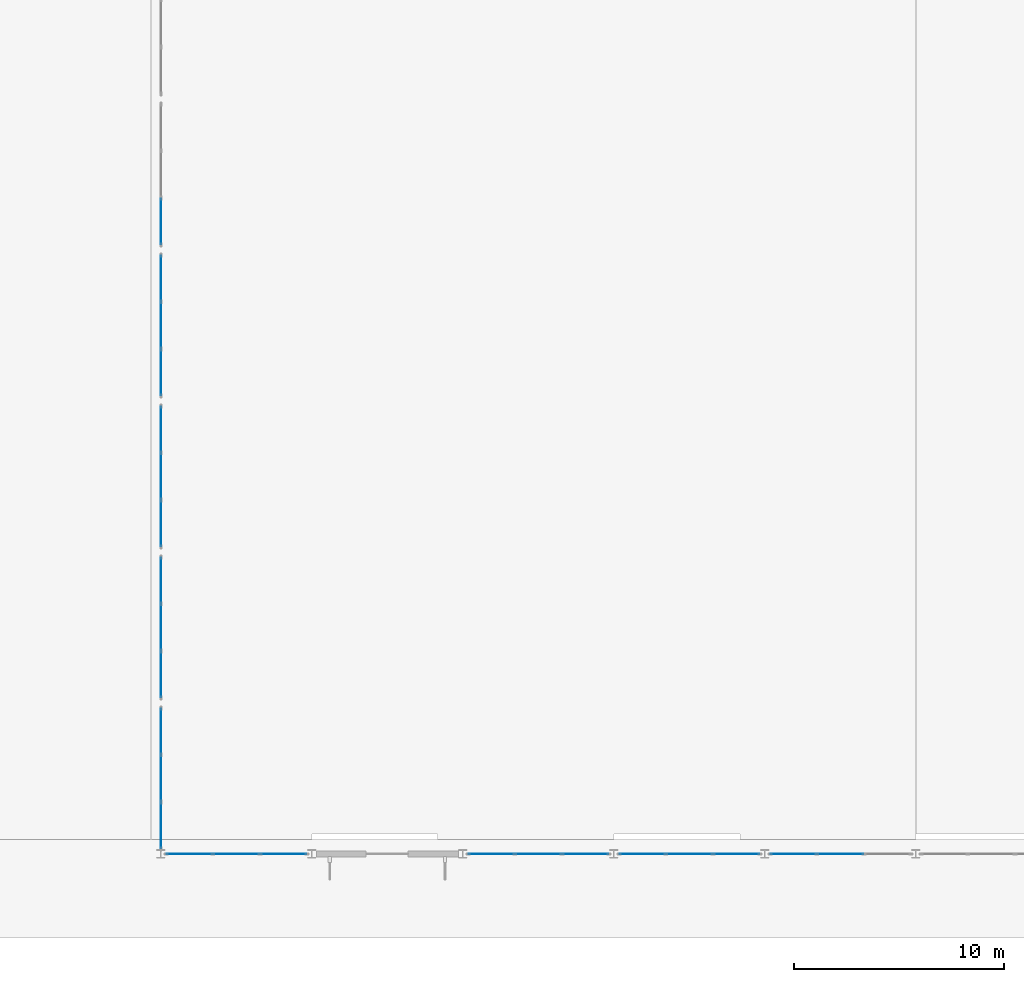
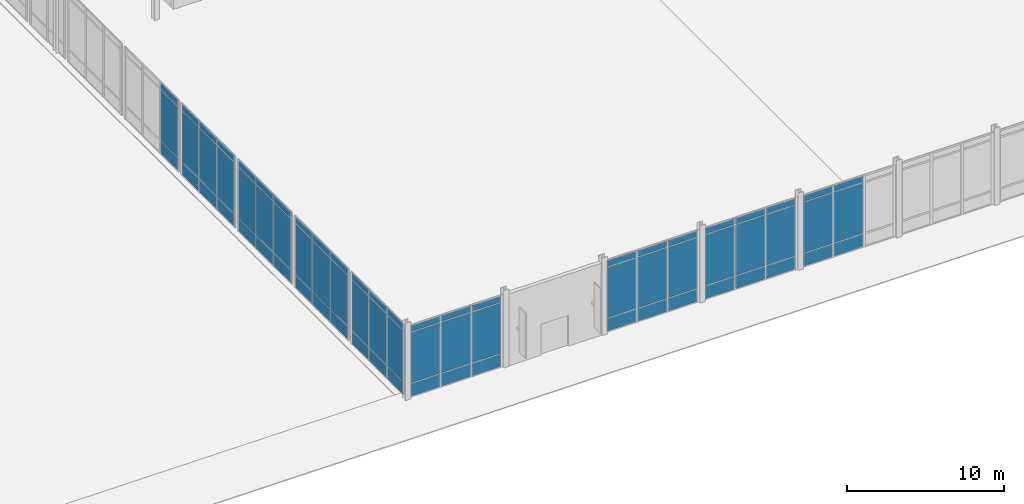
# One storey, part 57 of 104: 72 plates, 9 elements without a shape of their own.
"""IFC4 building model written with IfcOpenShell, lengths in metres."""

import ifcopenshell
import ifcopenshell.guid

model = None  # the IFC model being written
_history = None  # IfcOwnerHistory: only IFC2X3 demands one
_inside = {}  # id of a spatial element -> (the spatial element, [elements in it])
_under = {}  # id of a project, library or spatial element -> (it, [spatial elements below it])
_declared = {}  # id of a project -> (the project, [libraries it declares])
_typed = {}  # id of a type object -> (the type object, [elements of that type])
_made_of = {}  # id of a material, layer set ... -> (it, [elements and type objects made of it])


def new_model(schema):
    """Start an empty IFC model of exactly this schema.

    Asked for "IFC4X3", IfcOpenShell would pick the latest addendum, in which some entities
    have other attributes; the version numbers below select the first issue.
    IFC2X3 requires an IfcOwnerHistory on every rooted entity: one is made here for all.
    """
    global model, _history
    if schema == "IFC4X3":
        model = ifcopenshell.file(schema_version=(4, 3, 0, 0))
    else:
        model = ifcopenshell.file(schema=schema)
    _inside.clear()
    _under.clear()
    _declared.clear()
    _typed.clear()
    _made_of.clear()
    _history = None
    if model.schema == "IFC2X3":
        org = make("IfcOrganization", Name="unknown")
        user = make(
            "IfcPersonAndOrganization",
            ThePerson=make("IfcPerson", FamilyName="unknown"),
            TheOrganization=org,
        )
        app = make(
            "IfcApplication",
            ApplicationDeveloper=org,
            Version="unknown",
            ApplicationFullName="unknown",
            ApplicationIdentifier="unknown",
        )
        _history = make(
            "IfcOwnerHistory",
            OwningUser=user,
            OwningApplication=app,
            ChangeAction="ADDED",
            CreationDate=0,
        )
    return model


def make(cls, **values):
    """One entity of the class cls with the attributes given. An attribute that is None is left unset."""
    return model.create_entity(
        cls, **{name: value for name, value in values.items() if value is not None}
    )


def rooted(cls, **values):
    """An entity with a GlobalId (a new one), such as an element, a storey or a relation."""
    return make(cls, GlobalId=ifcopenshell.guid.new(), OwnerHistory=_history, **values)


def si_unit(unit_type, name, prefix=None):
    """IfcSIUnit, for example si_unit("LENGTHUNIT", "METRE", prefix="MILLI")."""
    return make("IfcSIUnit", UnitType=unit_type, Prefix=prefix, Name=name)


def assignment(units):
    """IfcUnitAssignment: the units of a project."""
    return None if units is None else make("IfcUnitAssignment", Units=units)


def point(xyz):
    """IfcCartesianPoint."""
    return None if xyz is None else make("IfcCartesianPoint", Coordinates=xyz)


def direction(xyz):
    """IfcDirection."""
    return None if xyz is None else make("IfcDirection", DirectionRatios=xyz)


def frame(location, z_axis=None, x_axis=None):
    """IfcAxis2Placement3D, a coordinate frame: its origin and axes. An axis left out is left unset."""
    return make(
        "IfcAxis2Placement3D",
        Location=point(location),
        Axis=direction(z_axis),
        RefDirection=direction(x_axis),
    )


def frame_2d(location, x_axis=None):
    """IfcAxis2Placement2D, a coordinate frame in the plane: its origin and x axis."""
    return make(
        "IfcAxis2Placement2D", Location=point(location), RefDirection=direction(x_axis)
    )


def origin():
    """The frame at (0, 0, 0) with its axes left unset."""
    return frame((0.0, 0.0, 0.0))


def origin_2d():
    """The frame at (0, 0) in the plane with its x axis left unset."""
    return frame_2d((0.0, 0.0))


def place(relative_to, where):
    """IfcLocalPlacement: puts the frame where relative to a parent placement (None: the world)."""
    return make(
        "IfcLocalPlacement", PlacementRelTo=relative_to, RelativePlacement=where
    )


def context(
    kind, dimensions, precision=None, world=None, true_north=None, identifier=None
):
    """IfcGeometricRepresentationContext, for example the 3D "Model" context."""
    return make(
        "IfcGeometricRepresentationContext",
        ContextIdentifier=identifier,
        ContextType=kind,
        CoordinateSpaceDimension=dimensions,
        Precision=precision,
        WorldCoordinateSystem=world,
        TrueNorth=true_north,
    )


def subcontext(parent, identifier, kind, view, scale=None):
    """IfcGeometricRepresentationSubContext, for example "Body" below "Model"."""
    return make(
        "IfcGeometricRepresentationSubContext",
        ContextIdentifier=identifier,
        ContextType=kind,
        ParentContext=parent,
        TargetScale=scale,
        TargetView=view,
    )


def project(units=None, contexts=None):
    """IfcProject with its units and contexts."""
    return rooted(
        "IfcProject",
        Name="project",
        RepresentationContexts=contexts,
        UnitsInContext=assignment(units),
    )


def spatial(cls, under=None, at=None, **own):
    """A site, building, storey or space (cls), placed at a placement, below another one or the project."""
    s = rooted(cls, ObjectPlacement=at, **own)
    if under is not None:
        _under.setdefault(under.id(), (under, []))[1].append(s)
    return s


def profile(cls, at=None, kind="AREA", **sizes):
    """A parametric profile (cls). Its sizes go by their IFC names, for example OverallWidth=200.0."""
    return make(cls, ProfileType=kind, Position=at, **sizes)


def rectangle(**sizes):
    """IfcRectangleProfileDef."""
    return profile("IfcRectangleProfileDef", **sizes)


def extrude(swept, where, along, depth):
    """IfcExtrudedAreaSolid: the profile swept, set in the frame where, extruded along a direction by depth."""
    return make(
        "IfcExtrudedAreaSolid",
        SweptArea=swept,
        Position=where,
        ExtrudedDirection=direction(along),
        Depth=depth,
    )


def shape(context_of_items, identifier, shape_type, items):
    """IfcShapeRepresentation: the items that make up one representation, for example the "Body"."""
    return make(
        "IfcShapeRepresentation",
        ContextOfItems=context_of_items,
        RepresentationIdentifier=identifier,
        RepresentationType=shape_type,
        Items=items,
    )


def material(Name=None, Category=None):
    """IfcMaterial."""
    return make("IfcMaterial", Name=Name, Category=Category)


def layer(
    of_material, thickness, ventilated=None, Name=None, Category=None, Priority=None
):
    """IfcMaterialLayer: one layer of a wall or slab, of a material (None: an air gap)."""
    return make(
        "IfcMaterialLayer",
        Material=of_material,
        LayerThickness=thickness,
        IsVentilated=ventilated,
        Name=Name,
        Category=Category,
        Priority=Priority,
    )


def layer_set(layers, Name=None):
    """IfcMaterialLayerSet."""
    return make("IfcMaterialLayerSet", MaterialLayers=layers, LayerSetName=Name)


def made_of(thing, what):
    """Note that an element or type object is made of a material, layer set ...; save() writes the relation."""
    if what is not None:
        _made_of.setdefault(what.id(), (what, []))[1].append(thing)
    return thing


def type_object(cls, material=None, **own):
    """A type object (cls), such as IfcWallType, which elements share."""
    return made_of(rooted(cls, **own), material)


def element(
    cls,
    number,
    at=None,
    inside=None,
    cuts=None,
    type_object=None,
    material=None,
    context=None,
    identifier="Body",
    shape_type=None,
    held_by="IfcProductDefinitionShape",
    body=None,
    shapes=None,
    **own,
):
    """One element of the class cls, such as IfcWall. Its Tag is "e" and its number.

    at: its placement. inside: the storey or other place that contains it. cuts: it is an
    opening in that element (IfcRelVoidsElement). A single representation is given by context,
    identifier, shape_type and body (its items); several are given by shapes. held_by: the class
    of the entity that holds the representations. save() writes the other relations.
    """
    e = rooted(cls, Tag="e%d" % number, ObjectPlacement=at, **own)
    if body is not None:
        shapes = [shape(context, identifier, shape_type, body)]
    if shapes is not None:
        e.Representation = make(held_by, Representations=shapes)
    if inside is not None:
        _inside.setdefault(inside.id(), (inside, []))[1].append(e)
    if cuts is not None:
        rooted(
            "IfcRelVoidsElement", RelatingBuildingElement=cuts, RelatedOpeningElement=e
        )
    if type_object is not None:
        _typed.setdefault(type_object.id(), (type_object, []))[1].append(e)
    return made_of(e, material)


def aggregate(whole, parts):
    """IfcRelAggregates: a whole, such as a stair, and the parts it consists of."""
    return rooted("IfcRelAggregates", RelatingObject=whole, RelatedObjects=parts)


def save(model, path):
    """Write the relations noted so far, then the file.

    IfcRelAggregates (storeys below a building ...), IfcRelContainedInSpatialStructure (elements
    in a storey), IfcRelDefinesByType, IfcRelAssociatesMaterial and IfcRelDeclares: one each for
    every whole, place, type object, material and project.
    """
    for whole, parts in _under.values():
        aggregate(whole, parts)
    for where, things in _inside.values():
        rooted(
            "IfcRelContainedInSpatialStructure",
            RelatedElements=things,
            RelatingStructure=where,
        )
    for kind, things in _typed.values():
        rooted("IfcRelDefinesByType", RelatedObjects=things, RelatingType=kind)
    for what, things in _made_of.values():
        rooted("IfcRelAssociatesMaterial", RelatedObjects=things, RelatingMaterial=what)
    for by, libraries in _declared.values():
        rooted("IfcRelDeclares", RelatingContext=by, RelatedDefinitions=libraries)
    model.write(path)


model = new_model("IFC4")

# Units and contexts
model_context = context("Model", 3, precision=1e-05, world=origin(), true_north=direction((0.0, 1.0)))
body_context = subcontext(model_context, "Body", "Model", "MODEL_VIEW")
ifc_project = project(units=[si_unit("LENGTHUNIT", "METRE"), si_unit("AREAUNIT", "SQUARE_METRE"), si_unit("VOLUMEUNIT", "CUBIC_METRE"), si_unit("PLANEANGLEUNIT", "RADIAN"), si_unit("MASSUNIT", "GRAM", prefix="KILO")], contexts=[model_context])

# Site, building, storey
site_placement = place(None, origin())
site = spatial("IfcSite", under=ifc_project, at=site_placement, CompositionType="ELEMENT")
building_placement = place(site_placement, origin())
building = spatial("IfcBuilding", under=site, at=building_placement, Name="Vaelcorin Mobility Hub", CompositionType="ELEMENT")
storey_placement = place(building_placement, origin())
storey = spatial("IfcBuildingStorey", under=building, at=storey_placement, Name="L00", CompositionType="ELEMENT", Elevation=0.0)

# Curtain wall, plates
ifc_material_1 = material(Name="Anodised aluminium 6063-T6", Category="aluminium")
curtain_wall_type = type_object("IfcCurtainWallType", Name="CW-CONC-A", PredefinedType="NOTDEFINED", material=ifc_material_1)
curtain_wall_1_placement = place(storey_placement, origin())
curtain_wall_1 = element("IfcCurtainWall", 1, at=curtain_wall_1_placement, inside=storey, type_object=curtain_wall_type, Name="L00 Curtain Wall CW-V1-S-01", PredefinedType="NOTDEFINED")
ifc_material_2 = material(Name="Low-E solar-control insulated glazing", Category="glass")
ifc_layer = layer(ifc_material_2, 0.031982421875)
ifc_layer_set = layer_set([ifc_layer], Name="Low-E solar-control insulated glazing")
plate_type = type_object("IfcPlateType", Name="CW-PAN-GLZ32", PredefinedType="CURTAIN_PANEL", material=ifc_layer_set)
plate_1_placement = place(storey_placement, frame((41.83837890625, 6.0, 0.06005859375), z_axis=(0.0, 0.0, 1.0), x_axis=(-1.0, 0.0, 0.0)))
plate_1 = element("IfcPlate", 2, at=plate_1_placement, type_object=plate_type, Name="CW1 panel 1.1", PredefinedType="CURTAIN_PANEL", context=body_context, shape_type="SweptSolid", body=[
    extrude(rectangle(XDim=2.163330078125, YDim=0.028076171875, at=origin_2d()), origin(), (0.0, 0.0, 1.0), 0.9599609375),
])
plate_2_placement = place(storey_placement, frame((41.83837890625, 6.0, 1.080078125), z_axis=(0.0, 0.0, 1.0), x_axis=(-1.0, 0.0, 0.0)))
plate_2 = element("IfcPlate", 3, at=plate_2_placement, type_object=plate_type, Name="CW1 panel 1.2", PredefinedType="CURTAIN_PANEL", context=body_context, shape_type="SweptSolid", body=[
    extrude(rectangle(XDim=2.163330078125, YDim=0.028076171875, at=origin_2d()), origin(), (0.0, 0.0, 1.0), 3.919921875),
])
plate_3_placement = place(storey_placement, frame((41.83837890625, 6.0, 5.06005859375), z_axis=(0.0, 0.0, 1.0), x_axis=(-1.0, 0.0, 0.0)))
plate_3 = element("IfcPlate", 4, at=plate_3_placement, type_object=plate_type, Name="CW1 panel 1.3", PredefinedType="CURTAIN_PANEL", context=body_context, shape_type="SweptSolid", body=[
    extrude(rectangle(XDim=2.163330078125, YDim=0.028076171875, at=origin_2d()), origin(), (0.0, 0.0, 1.0), 0.4599609375),
])
plate_4_placement = place(storey_placement, frame((39.60009765625, 6.0, 0.06005859375), z_axis=(0.0, 0.0, 1.0), x_axis=(-1.0, 0.0, 0.0)))
plate_4 = element("IfcPlate", 5, at=plate_4_placement, type_object=plate_type, Name="CW1 panel 2.1", PredefinedType="CURTAIN_PANEL", context=body_context, shape_type="SweptSolid", body=[
    extrude(rectangle(XDim=2.193359375, YDim=0.028076171875, at=origin_2d()), origin(), (0.0, 0.0, 1.0), 0.9599609375),
])
plate_5_placement = place(storey_placement, frame((39.60009765625, 6.0, 1.080078125), z_axis=(0.0, 0.0, 1.0), x_axis=(-1.0, 0.0, 0.0)))
plate_5 = element("IfcPlate", 6, at=plate_5_placement, type_object=plate_type, Name="CW1 panel 2.2", PredefinedType="CURTAIN_PANEL", context=body_context, shape_type="SweptSolid", body=[
    extrude(rectangle(XDim=2.193359375, YDim=0.028076171875, at=origin_2d()), origin(), (0.0, 0.0, 1.0), 3.919921875),
])
plate_6_placement = place(storey_placement, frame((39.60009765625, 6.0, 5.06005859375), z_axis=(0.0, 0.0, 1.0), x_axis=(-1.0, 0.0, 0.0)))
plate_6 = element("IfcPlate", 7, at=plate_6_placement, type_object=plate_type, Name="CW1 panel 2.3", PredefinedType="CURTAIN_PANEL", context=body_context, shape_type="SweptSolid", body=[
    extrude(rectangle(XDim=2.193359375, YDim=0.028076171875, at=origin_2d()), origin(), (0.0, 0.0, 1.0), 0.4599609375),
])
plate_7_placement = place(storey_placement, frame((37.361572265625, 6.0, 0.06005859375), z_axis=(0.0, 0.0, 1.0), x_axis=(-1.0, 0.0, 0.0)))
plate_7 = element("IfcPlate", 8, at=plate_7_placement, type_object=plate_type, Name="CW1 panel 3.1", PredefinedType="CURTAIN_PANEL", context=body_context, shape_type="SweptSolid", body=[
    extrude(rectangle(XDim=2.163330078125, YDim=0.028076171875, at=origin_2d()), origin(), (0.0, 0.0, 1.0), 0.9599609375),
])
plate_8_placement = place(storey_placement, frame((37.361572265625, 6.0, 1.080078125), z_axis=(0.0, 0.0, 1.0), x_axis=(-1.0, 0.0, 0.0)))
plate_8 = element("IfcPlate", 9, at=plate_8_placement, type_object=plate_type, Name="CW1 panel 3.2", PredefinedType="CURTAIN_PANEL", context=body_context, shape_type="SweptSolid", body=[
    extrude(rectangle(XDim=2.163330078125, YDim=0.028076171875, at=origin_2d()), origin(), (0.0, 0.0, 1.0), 3.919921875),
])
plate_9_placement = place(storey_placement, frame((37.361572265625, 6.0, 5.06005859375), z_axis=(0.0, 0.0, 1.0), x_axis=(-1.0, 0.0, 0.0)))
plate_9 = element("IfcPlate", 10, at=plate_9_placement, type_object=plate_type, Name="CW1 panel 3.3", PredefinedType="CURTAIN_PANEL", context=body_context, shape_type="SweptSolid", body=[
    extrude(rectangle(XDim=2.163330078125, YDim=0.028076171875, at=origin_2d()), origin(), (0.0, 0.0, 1.0), 0.4599609375),
])
aggregate(curtain_wall_1, [plate_1, plate_2, plate_3, plate_4, plate_5, plate_6, plate_7, plate_8, plate_9])

curtain_wall_2_placement = place(storey_placement, origin())
curtain_wall_2 = element("IfcCurtainWall", 11, at=curtain_wall_2_placement, inside=storey, type_object=curtain_wall_type, Name="L00 Curtain Wall CW-V1-S-03", PredefinedType="NOTDEFINED")
plate_10_placement = place(storey_placement, frame((56.23828125, 6.0, 0.06005859375), z_axis=(0.0, 0.0, 1.0), x_axis=(-1.0, 0.0, 0.0)))
plate_10 = element("IfcPlate", 12, at=plate_10_placement, type_object=plate_type, Name="CW1 panel 1.1", PredefinedType="CURTAIN_PANEL", context=body_context, shape_type="SweptSolid", body=[
    extrude(rectangle(XDim=2.163330078125, YDim=0.028076171875, at=origin_2d()), origin(), (0.0, 0.0, 1.0), 0.9599609375),
])
plate_11_placement = place(storey_placement, frame((56.23828125, 6.0, 1.080078125), z_axis=(0.0, 0.0, 1.0), x_axis=(-1.0, 0.0, 0.0)))
plate_11 = element("IfcPlate", 13, at=plate_11_placement, type_object=plate_type, Name="CW1 panel 1.2", PredefinedType="CURTAIN_PANEL", context=body_context, shape_type="SweptSolid", body=[
    extrude(rectangle(XDim=2.163330078125, YDim=0.028076171875, at=origin_2d()), origin(), (0.0, 0.0, 1.0), 3.919921875),
])
plate_12_placement = place(storey_placement, frame((56.23828125, 6.0, 5.06005859375), z_axis=(0.0, 0.0, 1.0), x_axis=(-1.0, 0.0, 0.0)))
plate_12 = element("IfcPlate", 14, at=plate_12_placement, type_object=plate_type, Name="CW1 panel 1.3", PredefinedType="CURTAIN_PANEL", context=body_context, shape_type="SweptSolid", body=[
    extrude(rectangle(XDim=2.163330078125, YDim=0.028076171875, at=origin_2d()), origin(), (0.0, 0.0, 1.0), 0.4599609375),
])
plate_13_placement = place(storey_placement, frame((54.0, 6.0, 0.06005859375), z_axis=(0.0, 0.0, 1.0), x_axis=(-1.0, 0.0, 0.0)))
plate_13 = element("IfcPlate", 15, at=plate_13_placement, type_object=plate_type, Name="CW1 panel 2.1", PredefinedType="CURTAIN_PANEL", context=body_context, shape_type="SweptSolid", body=[
    extrude(rectangle(XDim=2.193359375, YDim=0.028076171875, at=origin_2d()), origin(), (0.0, 0.0, 1.0), 0.9599609375),
])
plate_14_placement = place(storey_placement, frame((54.0, 6.0, 1.080078125), z_axis=(0.0, 0.0, 1.0), x_axis=(-1.0, 0.0, 0.0)))
plate_14 = element("IfcPlate", 16, at=plate_14_placement, type_object=plate_type, Name="CW1 panel 2.2", PredefinedType="CURTAIN_PANEL", context=body_context, shape_type="SweptSolid", body=[
    extrude(rectangle(XDim=2.193359375, YDim=0.028076171875, at=origin_2d()), origin(), (0.0, 0.0, 1.0), 3.919921875),
])
plate_15_placement = place(storey_placement, frame((54.0, 6.0, 5.06005859375), z_axis=(0.0, 0.0, 1.0), x_axis=(-1.0, 0.0, 0.0)))
plate_15 = element("IfcPlate", 17, at=plate_15_placement, type_object=plate_type, Name="CW1 panel 2.3", PredefinedType="CURTAIN_PANEL", context=body_context, shape_type="SweptSolid", body=[
    extrude(rectangle(XDim=2.193359375, YDim=0.028076171875, at=origin_2d()), origin(), (0.0, 0.0, 1.0), 0.4599609375),
])
plate_16_placement = place(storey_placement, frame((51.76171875, 6.0, 0.06005859375), z_axis=(0.0, 0.0, 1.0), x_axis=(-1.0, 0.0, 0.0)))
plate_16 = element("IfcPlate", 18, at=plate_16_placement, type_object=plate_type, Name="CW1 panel 3.1", PredefinedType="CURTAIN_PANEL", context=body_context, shape_type="SweptSolid", body=[
    extrude(rectangle(XDim=2.163330078125, YDim=0.028076171875, at=origin_2d()), origin(), (0.0, 0.0, 1.0), 0.9599609375),
])
plate_17_placement = place(storey_placement, frame((51.76171875, 6.0, 1.080078125), z_axis=(0.0, 0.0, 1.0), x_axis=(-1.0, 0.0, 0.0)))
plate_17 = element("IfcPlate", 19, at=plate_17_placement, type_object=plate_type, Name="CW1 panel 3.2", PredefinedType="CURTAIN_PANEL", context=body_context, shape_type="SweptSolid", body=[
    extrude(rectangle(XDim=2.163330078125, YDim=0.028076171875, at=origin_2d()), origin(), (0.0, 0.0, 1.0), 3.919921875),
])
plate_18_placement = place(storey_placement, frame((51.76171875, 6.0, 5.06005859375), z_axis=(0.0, 0.0, 1.0), x_axis=(-1.0, 0.0, 0.0)))
plate_18 = element("IfcPlate", 20, at=plate_18_placement, type_object=plate_type, Name="CW1 panel 3.3", PredefinedType="CURTAIN_PANEL", context=body_context, shape_type="SweptSolid", body=[
    extrude(rectangle(XDim=2.163330078125, YDim=0.028076171875, at=origin_2d()), origin(), (0.0, 0.0, 1.0), 0.4599609375),
])
aggregate(curtain_wall_2, [plate_10, plate_11, plate_12, plate_13, plate_14, plate_15, plate_16, plate_17, plate_18])

curtain_wall_3_placement = place(storey_placement, origin())
curtain_wall_3 = element("IfcCurtainWall", 21, at=curtain_wall_3_placement, inside=storey, type_object=curtain_wall_type, Name="L00 Curtain Wall CW-V1-S-04", PredefinedType="NOTDEFINED")
plate_19_placement = place(storey_placement, frame((63.438232421875, 6.0, 0.06005859375), z_axis=(0.0, 0.0, 1.0), x_axis=(-1.0, 0.0, 0.0)))
plate_19 = element("IfcPlate", 22, at=plate_19_placement, type_object=plate_type, Name="CW1 panel 1.1", PredefinedType="CURTAIN_PANEL", context=body_context, shape_type="SweptSolid", body=[
    extrude(rectangle(XDim=2.163330078125, YDim=0.028076171875, at=origin_2d()), origin(), (0.0, 0.0, 1.0), 0.9599609375),
])
plate_20_placement = place(storey_placement, frame((63.438232421875, 6.0, 1.080078125), z_axis=(0.0, 0.0, 1.0), x_axis=(-1.0, 0.0, 0.0)))
plate_20 = element("IfcPlate", 23, at=plate_20_placement, type_object=plate_type, Name="CW1 panel 1.2", PredefinedType="CURTAIN_PANEL", context=body_context, shape_type="SweptSolid", body=[
    extrude(rectangle(XDim=2.163330078125, YDim=0.028076171875, at=origin_2d()), origin(), (0.0, 0.0, 1.0), 3.919921875),
])
plate_21_placement = place(storey_placement, frame((63.438232421875, 6.0, 5.06005859375), z_axis=(0.0, 0.0, 1.0), x_axis=(-1.0, 0.0, 0.0)))
plate_21 = element("IfcPlate", 24, at=plate_21_placement, type_object=plate_type, Name="CW1 panel 1.3", PredefinedType="CURTAIN_PANEL", context=body_context, shape_type="SweptSolid", body=[
    extrude(rectangle(XDim=2.163330078125, YDim=0.028076171875, at=origin_2d()), origin(), (0.0, 0.0, 1.0), 0.4599609375),
])
plate_22_placement = place(storey_placement, frame((61.199951171875, 6.0, 0.06005859375), z_axis=(0.0, 0.0, 1.0), x_axis=(-1.0, 0.0, 0.0)))
plate_22 = element("IfcPlate", 25, at=plate_22_placement, type_object=plate_type, Name="CW1 panel 2.1", PredefinedType="CURTAIN_PANEL", context=body_context, shape_type="SweptSolid", body=[
    extrude(rectangle(XDim=2.193359375, YDim=0.028076171875, at=origin_2d()), origin(), (0.0, 0.0, 1.0), 0.9599609375),
])
plate_23_placement = place(storey_placement, frame((61.199951171875, 6.0, 1.080078125), z_axis=(0.0, 0.0, 1.0), x_axis=(-1.0, 0.0, 0.0)))
plate_23 = element("IfcPlate", 26, at=plate_23_placement, type_object=plate_type, Name="CW1 panel 2.2", PredefinedType="CURTAIN_PANEL", context=body_context, shape_type="SweptSolid", body=[
    extrude(rectangle(XDim=2.193359375, YDim=0.028076171875, at=origin_2d()), origin(), (0.0, 0.0, 1.0), 3.919921875),
])
plate_24_placement = place(storey_placement, frame((61.199951171875, 6.0, 5.06005859375), z_axis=(0.0, 0.0, 1.0), x_axis=(-1.0, 0.0, 0.0)))
plate_24 = element("IfcPlate", 27, at=plate_24_placement, type_object=plate_type, Name="CW1 panel 2.3", PredefinedType="CURTAIN_PANEL", context=body_context, shape_type="SweptSolid", body=[
    extrude(rectangle(XDim=2.193359375, YDim=0.028076171875, at=origin_2d()), origin(), (0.0, 0.0, 1.0), 0.4599609375),
])
plate_25_placement = place(storey_placement, frame((58.961669921875, 6.0, 0.06005859375), z_axis=(0.0, 0.0, 1.0), x_axis=(-1.0, 0.0, 0.0)))
plate_25 = element("IfcPlate", 28, at=plate_25_placement, type_object=plate_type, Name="CW1 panel 3.1", PredefinedType="CURTAIN_PANEL", context=body_context, shape_type="SweptSolid", body=[
    extrude(rectangle(XDim=2.163330078125, YDim=0.028076171875, at=origin_2d()), origin(), (0.0, 0.0, 1.0), 0.9599609375),
])
plate_26_placement = place(storey_placement, frame((58.961669921875, 6.0, 1.080078125), z_axis=(0.0, 0.0, 1.0), x_axis=(-1.0, 0.0, 0.0)))
plate_26 = element("IfcPlate", 29, at=plate_26_placement, type_object=plate_type, Name="CW1 panel 3.2", PredefinedType="CURTAIN_PANEL", context=body_context, shape_type="SweptSolid", body=[
    extrude(rectangle(XDim=2.163330078125, YDim=0.028076171875, at=origin_2d()), origin(), (0.0, 0.0, 1.0), 3.919921875),
])
plate_27_placement = place(storey_placement, frame((58.961669921875, 6.0, 5.06005859375), z_axis=(0.0, 0.0, 1.0), x_axis=(-1.0, 0.0, 0.0)))
plate_27 = element("IfcPlate", 30, at=plate_27_placement, type_object=plate_type, Name="CW1 panel 3.3", PredefinedType="CURTAIN_PANEL", context=body_context, shape_type="SweptSolid", body=[
    extrude(rectangle(XDim=2.163330078125, YDim=0.028076171875, at=origin_2d()), origin(), (0.0, 0.0, 1.0), 0.4599609375),
])
aggregate(curtain_wall_3, [plate_19, plate_20, plate_21, plate_22, plate_23, plate_24, plate_25, plate_26, plate_27])

curtain_wall_4_placement = place(storey_placement, origin())
curtain_wall_4 = element("IfcCurtainWall", 31, at=curtain_wall_4_placement, inside=storey, type_object=curtain_wall_type, Name="L00 Curtain Wall CW-V1-S-05", PredefinedType="NOTDEFINED")
plate_28_placement = place(storey_placement, frame((68.39990234375, 6.0, 0.06005859375), z_axis=(0.0, 0.0, 1.0), x_axis=(-1.0, 0.0, 0.0)))
plate_28 = element("IfcPlate", 32, at=plate_28_placement, type_object=plate_type, Name="CW1 panel 2.1", PredefinedType="CURTAIN_PANEL", context=body_context, shape_type="SweptSolid", body=[
    extrude(rectangle(XDim=2.193359375, YDim=0.028076171875, at=origin_2d()), origin(), (0.0, 0.0, 1.0), 0.9599609375),
])
plate_29_placement = place(storey_placement, frame((68.39990234375, 6.0, 1.080078125), z_axis=(0.0, 0.0, 1.0), x_axis=(-1.0, 0.0, 0.0)))
plate_29 = element("IfcPlate", 33, at=plate_29_placement, type_object=plate_type, Name="CW1 panel 2.2", PredefinedType="CURTAIN_PANEL", context=body_context, shape_type="SweptSolid", body=[
    extrude(rectangle(XDim=2.193359375, YDim=0.028076171875, at=origin_2d()), origin(), (0.0, 0.0, 1.0), 3.919921875),
])
plate_30_placement = place(storey_placement, frame((68.39990234375, 6.0, 5.06005859375), z_axis=(0.0, 0.0, 1.0), x_axis=(-1.0, 0.0, 0.0)))
plate_30 = element("IfcPlate", 34, at=plate_30_placement, type_object=plate_type, Name="CW1 panel 2.3", PredefinedType="CURTAIN_PANEL", context=body_context, shape_type="SweptSolid", body=[
    extrude(rectangle(XDim=2.193359375, YDim=0.028076171875, at=origin_2d()), origin(), (0.0, 0.0, 1.0), 0.4599609375),
])
plate_31_placement = place(storey_placement, frame((66.16162109375, 6.0, 0.06005859375), z_axis=(0.0, 0.0, 1.0), x_axis=(-1.0, 0.0, 0.0)))
plate_31 = element("IfcPlate", 35, at=plate_31_placement, type_object=plate_type, Name="CW1 panel 3.1", PredefinedType="CURTAIN_PANEL", context=body_context, shape_type="SweptSolid", body=[
    extrude(rectangle(XDim=2.163330078125, YDim=0.028076171875, at=origin_2d()), origin(), (0.0, 0.0, 1.0), 0.9599609375),
])
plate_32_placement = place(storey_placement, frame((66.16162109375, 6.0, 1.080078125), z_axis=(0.0, 0.0, 1.0), x_axis=(-1.0, 0.0, 0.0)))
plate_32 = element("IfcPlate", 36, at=plate_32_placement, type_object=plate_type, Name="CW1 panel 3.2", PredefinedType="CURTAIN_PANEL", context=body_context, shape_type="SweptSolid", body=[
    extrude(rectangle(XDim=2.163330078125, YDim=0.028076171875, at=origin_2d()), origin(), (0.0, 0.0, 1.0), 3.919921875),
])
plate_33_placement = place(storey_placement, frame((66.16162109375, 6.0, 5.06005859375), z_axis=(0.0, 0.0, 1.0), x_axis=(-1.0, 0.0, 0.0)))
plate_33 = element("IfcPlate", 37, at=plate_33_placement, type_object=plate_type, Name="CW1 panel 3.3", PredefinedType="CURTAIN_PANEL", context=body_context, shape_type="SweptSolid", body=[
    extrude(rectangle(XDim=2.163330078125, YDim=0.028076171875, at=origin_2d()), origin(), (0.0, 0.0, 1.0), 0.4599609375),
])
aggregate(curtain_wall_4, [plate_28, plate_29, plate_30, plate_31, plate_32, plate_33])

curtain_wall_5_placement = place(storey_placement, origin())
curtain_wall_5 = element("IfcCurtainWall", 38, at=curtain_wall_5_placement, inside=storey, type_object=curtain_wall_type, Name="L00 Curtain Wall CW-V1-W-01", PredefinedType="NOTDEFINED")
plate_34_placement = place(storey_placement, frame((36.0, 7.361572265625, 0.06005859375), z_axis=(0.0, 0.0, 1.0), x_axis=(0.0, 1.0, 0.0)))
plate_34 = element("IfcPlate", 39, at=plate_34_placement, type_object=plate_type, Name="CW1 panel 1.1", PredefinedType="CURTAIN_PANEL", context=body_context, shape_type="SweptSolid", body=[
    extrude(rectangle(XDim=2.163330078125, YDim=0.028076171875, at=origin_2d()), origin(), (0.0, 0.0, 1.0), 0.9599609375),
])
plate_35_placement = place(storey_placement, frame((36.0, 7.361572265625, 1.080078125), z_axis=(0.0, 0.0, 1.0), x_axis=(0.0, 1.0, 0.0)))
plate_35 = element("IfcPlate", 40, at=plate_35_placement, type_object=plate_type, Name="CW1 panel 1.2", PredefinedType="CURTAIN_PANEL", context=body_context, shape_type="SweptSolid", body=[
    extrude(rectangle(XDim=2.163330078125, YDim=0.028076171875, at=origin_2d()), origin(), (0.0, 0.0, 1.0), 3.919921875),
])
plate_36_placement = place(storey_placement, frame((36.0, 7.361572265625, 5.06005859375), z_axis=(0.0, 0.0, 1.0), x_axis=(0.0, 1.0, 0.0)))
plate_36 = element("IfcPlate", 41, at=plate_36_placement, type_object=plate_type, Name="CW1 panel 1.3", PredefinedType="CURTAIN_PANEL", context=body_context, shape_type="SweptSolid", body=[
    extrude(rectangle(XDim=2.163330078125, YDim=0.028076171875, at=origin_2d()), origin(), (0.0, 0.0, 1.0), 0.4599609375),
])
plate_37_placement = place(storey_placement, frame((36.0, 9.60009765625, 0.06005859375), z_axis=(0.0, 0.0, 1.0), x_axis=(0.0, 1.0, 0.0)))
plate_37 = element("IfcPlate", 42, at=plate_37_placement, type_object=plate_type, Name="CW1 panel 2.1", PredefinedType="CURTAIN_PANEL", context=body_context, shape_type="SweptSolid", body=[
    extrude(rectangle(XDim=2.193359375, YDim=0.028076171875, at=origin_2d()), origin(), (0.0, 0.0, 1.0), 0.9599609375),
])
plate_38_placement = place(storey_placement, frame((36.0, 9.60009765625, 1.080078125), z_axis=(0.0, 0.0, 1.0), x_axis=(0.0, 1.0, 0.0)))
plate_38 = element("IfcPlate", 43, at=plate_38_placement, type_object=plate_type, Name="CW1 panel 2.2", PredefinedType="CURTAIN_PANEL", context=body_context, shape_type="SweptSolid", body=[
    extrude(rectangle(XDim=2.193359375, YDim=0.028076171875, at=origin_2d()), origin(), (0.0, 0.0, 1.0), 3.919921875),
])
plate_39_placement = place(storey_placement, frame((36.0, 9.60009765625, 5.06005859375), z_axis=(0.0, 0.0, 1.0), x_axis=(0.0, 1.0, 0.0)))
plate_39 = element("IfcPlate", 44, at=plate_39_placement, type_object=plate_type, Name="CW1 panel 2.3", PredefinedType="CURTAIN_PANEL", context=body_context, shape_type="SweptSolid", body=[
    extrude(rectangle(XDim=2.193359375, YDim=0.028076171875, at=origin_2d()), origin(), (0.0, 0.0, 1.0), 0.4599609375),
])
plate_40_placement = place(storey_placement, frame((36.0, 11.83837890625, 0.06005859375), z_axis=(0.0, 0.0, 1.0), x_axis=(0.0, 1.0, 0.0)))
plate_40 = element("IfcPlate", 45, at=plate_40_placement, type_object=plate_type, Name="CW1 panel 3.1", PredefinedType="CURTAIN_PANEL", context=body_context, shape_type="SweptSolid", body=[
    extrude(rectangle(XDim=2.163330078125, YDim=0.028076171875, at=origin_2d()), origin(), (0.0, 0.0, 1.0), 0.9599609375),
])
plate_41_placement = place(storey_placement, frame((36.0, 11.83837890625, 1.080078125), z_axis=(0.0, 0.0, 1.0), x_axis=(0.0, 1.0, 0.0)))
plate_41 = element("IfcPlate", 46, at=plate_41_placement, type_object=plate_type, Name="CW1 panel 3.2", PredefinedType="CURTAIN_PANEL", context=body_context, shape_type="SweptSolid", body=[
    extrude(rectangle(XDim=2.163330078125, YDim=0.028076171875, at=origin_2d()), origin(), (0.0, 0.0, 1.0), 3.919921875),
])
plate_42_placement = place(storey_placement, frame((36.0, 11.83837890625, 5.06005859375), z_axis=(0.0, 0.0, 1.0), x_axis=(0.0, 1.0, 0.0)))
plate_42 = element("IfcPlate", 47, at=plate_42_placement, type_object=plate_type, Name="CW1 panel 3.3", PredefinedType="CURTAIN_PANEL", context=body_context, shape_type="SweptSolid", body=[
    extrude(rectangle(XDim=2.163330078125, YDim=0.028076171875, at=origin_2d()), origin(), (0.0, 0.0, 1.0), 0.4599609375),
])
aggregate(curtain_wall_5, [plate_34, plate_35, plate_36, plate_37, plate_38, plate_39, plate_40, plate_41, plate_42])

curtain_wall_6_placement = place(storey_placement, origin())
curtain_wall_6 = element("IfcCurtainWall", 48, at=curtain_wall_6_placement, inside=storey, type_object=curtain_wall_type, Name="L00 Curtain Wall CW-V1-W-02", PredefinedType="NOTDEFINED")
plate_43_placement = place(storey_placement, frame((36.0, 14.561767578125, 0.06005859375), z_axis=(0.0, 0.0, 1.0), x_axis=(0.0, 1.0, 0.0)))
plate_43 = element("IfcPlate", 49, at=plate_43_placement, type_object=plate_type, Name="CW1 panel 1.1", PredefinedType="CURTAIN_PANEL", context=body_context, shape_type="SweptSolid", body=[
    extrude(rectangle(XDim=2.163330078125, YDim=0.028076171875, at=origin_2d()), origin(), (0.0, 0.0, 1.0), 0.9599609375),
])
plate_44_placement = place(storey_placement, frame((36.0, 14.561767578125, 1.080078125), z_axis=(0.0, 0.0, 1.0), x_axis=(0.0, 1.0, 0.0)))
plate_44 = element("IfcPlate", 50, at=plate_44_placement, type_object=plate_type, Name="CW1 panel 1.2", PredefinedType="CURTAIN_PANEL", context=body_context, shape_type="SweptSolid", body=[
    extrude(rectangle(XDim=2.163330078125, YDim=0.028076171875, at=origin_2d()), origin(), (0.0, 0.0, 1.0), 3.919921875),
])
plate_45_placement = place(storey_placement, frame((36.0, 14.561767578125, 5.06005859375), z_axis=(0.0, 0.0, 1.0), x_axis=(0.0, 1.0, 0.0)))
plate_45 = element("IfcPlate", 51, at=plate_45_placement, type_object=plate_type, Name="CW1 panel 1.3", PredefinedType="CURTAIN_PANEL", context=body_context, shape_type="SweptSolid", body=[
    extrude(rectangle(XDim=2.163330078125, YDim=0.028076171875, at=origin_2d()), origin(), (0.0, 0.0, 1.0), 0.4599609375),
])
plate_46_placement = place(storey_placement, frame((36.0, 16.800048828125, 0.06005859375), z_axis=(0.0, 0.0, 1.0), x_axis=(0.0, 1.0, 0.0)))
plate_46 = element("IfcPlate", 52, at=plate_46_placement, type_object=plate_type, Name="CW1 panel 2.1", PredefinedType="CURTAIN_PANEL", context=body_context, shape_type="SweptSolid", body=[
    extrude(rectangle(XDim=2.193359375, YDim=0.028076171875, at=origin_2d()), origin(), (0.0, 0.0, 1.0), 0.9599609375),
])
plate_47_placement = place(storey_placement, frame((36.0, 16.800048828125, 1.080078125), z_axis=(0.0, 0.0, 1.0), x_axis=(0.0, 1.0, 0.0)))
plate_47 = element("IfcPlate", 53, at=plate_47_placement, type_object=plate_type, Name="CW1 panel 2.2", PredefinedType="CURTAIN_PANEL", context=body_context, shape_type="SweptSolid", body=[
    extrude(rectangle(XDim=2.193359375, YDim=0.028076171875, at=origin_2d()), origin(), (0.0, 0.0, 1.0), 3.919921875),
])
plate_48_placement = place(storey_placement, frame((36.0, 16.800048828125, 5.06005859375), z_axis=(0.0, 0.0, 1.0), x_axis=(0.0, 1.0, 0.0)))
plate_48 = element("IfcPlate", 54, at=plate_48_placement, type_object=plate_type, Name="CW1 panel 2.3", PredefinedType="CURTAIN_PANEL", context=body_context, shape_type="SweptSolid", body=[
    extrude(rectangle(XDim=2.193359375, YDim=0.028076171875, at=origin_2d()), origin(), (0.0, 0.0, 1.0), 0.4599609375),
])
plate_49_placement = place(storey_placement, frame((36.0, 19.038330078125, 0.06005859375), z_axis=(0.0, 0.0, 1.0), x_axis=(0.0, 1.0, 0.0)))
plate_49 = element("IfcPlate", 55, at=plate_49_placement, type_object=plate_type, Name="CW1 panel 3.1", PredefinedType="CURTAIN_PANEL", context=body_context, shape_type="SweptSolid", body=[
    extrude(rectangle(XDim=2.163330078125, YDim=0.028076171875, at=origin_2d()), origin(), (0.0, 0.0, 1.0), 0.9599609375),
])
plate_50_placement = place(storey_placement, frame((36.0, 19.038330078125, 1.080078125), z_axis=(0.0, 0.0, 1.0), x_axis=(0.0, 1.0, 0.0)))
plate_50 = element("IfcPlate", 56, at=plate_50_placement, type_object=plate_type, Name="CW1 panel 3.2", PredefinedType="CURTAIN_PANEL", context=body_context, shape_type="SweptSolid", body=[
    extrude(rectangle(XDim=2.163330078125, YDim=0.028076171875, at=origin_2d()), origin(), (0.0, 0.0, 1.0), 3.919921875),
])
plate_51_placement = place(storey_placement, frame((36.0, 19.038330078125, 5.06005859375), z_axis=(0.0, 0.0, 1.0), x_axis=(0.0, 1.0, 0.0)))
plate_51 = element("IfcPlate", 57, at=plate_51_placement, type_object=plate_type, Name="CW1 panel 3.3", PredefinedType="CURTAIN_PANEL", context=body_context, shape_type="SweptSolid", body=[
    extrude(rectangle(XDim=2.163330078125, YDim=0.028076171875, at=origin_2d()), origin(), (0.0, 0.0, 1.0), 0.4599609375),
])
aggregate(curtain_wall_6, [plate_43, plate_44, plate_45, plate_46, plate_47, plate_48, plate_49, plate_50, plate_51])

curtain_wall_7_placement = place(storey_placement, origin())
curtain_wall_7 = element("IfcCurtainWall", 58, at=curtain_wall_7_placement, inside=storey, type_object=curtain_wall_type, Name="L00 Curtain Wall CW-V1-W-03", PredefinedType="NOTDEFINED")
plate_52_placement = place(storey_placement, frame((36.0, 21.76171875, 0.06005859375), z_axis=(0.0, 0.0, 1.0), x_axis=(0.0, 1.0, 0.0)))
plate_52 = element("IfcPlate", 59, at=plate_52_placement, type_object=plate_type, Name="CW1 panel 1.1", PredefinedType="CURTAIN_PANEL", context=body_context, shape_type="SweptSolid", body=[
    extrude(rectangle(XDim=2.163330078125, YDim=0.028076171875, at=origin_2d()), origin(), (0.0, 0.0, 1.0), 0.9599609375),
])
plate_53_placement = place(storey_placement, frame((36.0, 21.76171875, 1.080078125), z_axis=(0.0, 0.0, 1.0), x_axis=(0.0, 1.0, 0.0)))
plate_53 = element("IfcPlate", 60, at=plate_53_placement, type_object=plate_type, Name="CW1 panel 1.2", PredefinedType="CURTAIN_PANEL", context=body_context, shape_type="SweptSolid", body=[
    extrude(rectangle(XDim=2.163330078125, YDim=0.028076171875, at=origin_2d()), origin(), (0.0, 0.0, 1.0), 3.919921875),
])
plate_54_placement = place(storey_placement, frame((36.0, 21.76171875, 5.06005859375), z_axis=(0.0, 0.0, 1.0), x_axis=(0.0, 1.0, 0.0)))
plate_54 = element("IfcPlate", 61, at=plate_54_placement, type_object=plate_type, Name="CW1 panel 1.3", PredefinedType="CURTAIN_PANEL", context=body_context, shape_type="SweptSolid", body=[
    extrude(rectangle(XDim=2.163330078125, YDim=0.028076171875, at=origin_2d()), origin(), (0.0, 0.0, 1.0), 0.4599609375),
])
plate_55_placement = place(storey_placement, frame((36.0, 24.0, 0.06005859375), z_axis=(0.0, 0.0, 1.0), x_axis=(0.0, 1.0, 0.0)))
plate_55 = element("IfcPlate", 62, at=plate_55_placement, type_object=plate_type, Name="CW1 panel 2.1", PredefinedType="CURTAIN_PANEL", context=body_context, shape_type="SweptSolid", body=[
    extrude(rectangle(XDim=2.193359375, YDim=0.028076171875, at=origin_2d()), origin(), (0.0, 0.0, 1.0), 0.9599609375),
])
plate_56_placement = place(storey_placement, frame((36.0, 24.0, 1.080078125), z_axis=(0.0, 0.0, 1.0), x_axis=(0.0, 1.0, 0.0)))
plate_56 = element("IfcPlate", 63, at=plate_56_placement, type_object=plate_type, Name="CW1 panel 2.2", PredefinedType="CURTAIN_PANEL", context=body_context, shape_type="SweptSolid", body=[
    extrude(rectangle(XDim=2.193359375, YDim=0.028076171875, at=origin_2d()), origin(), (0.0, 0.0, 1.0), 3.919921875),
])
plate_57_placement = place(storey_placement, frame((36.0, 24.0, 5.06005859375), z_axis=(0.0, 0.0, 1.0), x_axis=(0.0, 1.0, 0.0)))
plate_57 = element("IfcPlate", 64, at=plate_57_placement, type_object=plate_type, Name="CW1 panel 2.3", PredefinedType="CURTAIN_PANEL", context=body_context, shape_type="SweptSolid", body=[
    extrude(rectangle(XDim=2.193359375, YDim=0.028076171875, at=origin_2d()), origin(), (0.0, 0.0, 1.0), 0.4599609375),
])
plate_58_placement = place(storey_placement, frame((36.0, 26.23828125, 0.06005859375), z_axis=(0.0, 0.0, 1.0), x_axis=(0.0, 1.0, 0.0)))
plate_58 = element("IfcPlate", 65, at=plate_58_placement, type_object=plate_type, Name="CW1 panel 3.1", PredefinedType="CURTAIN_PANEL", context=body_context, shape_type="SweptSolid", body=[
    extrude(rectangle(XDim=2.163330078125, YDim=0.028076171875, at=origin_2d()), origin(), (0.0, 0.0, 1.0), 0.9599609375),
])
plate_59_placement = place(storey_placement, frame((36.0, 26.23828125, 1.080078125), z_axis=(0.0, 0.0, 1.0), x_axis=(0.0, 1.0, 0.0)))
plate_59 = element("IfcPlate", 66, at=plate_59_placement, type_object=plate_type, Name="CW1 panel 3.2", PredefinedType="CURTAIN_PANEL", context=body_context, shape_type="SweptSolid", body=[
    extrude(rectangle(XDim=2.163330078125, YDim=0.028076171875, at=origin_2d()), origin(), (0.0, 0.0, 1.0), 3.919921875),
])
plate_60_placement = place(storey_placement, frame((36.0, 26.23828125, 5.06005859375), z_axis=(0.0, 0.0, 1.0), x_axis=(0.0, 1.0, 0.0)))
plate_60 = element("IfcPlate", 67, at=plate_60_placement, type_object=plate_type, Name="CW1 panel 3.3", PredefinedType="CURTAIN_PANEL", context=body_context, shape_type="SweptSolid", body=[
    extrude(rectangle(XDim=2.163330078125, YDim=0.028076171875, at=origin_2d()), origin(), (0.0, 0.0, 1.0), 0.4599609375),
])
aggregate(curtain_wall_7, [plate_52, plate_53, plate_54, plate_55, plate_56, plate_57, plate_58, plate_59, plate_60])

curtain_wall_8_placement = place(storey_placement, origin())
curtain_wall_8 = element("IfcCurtainWall", 68, at=curtain_wall_8_placement, inside=storey, type_object=curtain_wall_type, Name="L00 Curtain Wall CW-V1-W-04", PredefinedType="NOTDEFINED")
plate_61_placement = place(storey_placement, frame((36.0, 28.961669921875, 0.06005859375), z_axis=(0.0, 0.0, 1.0), x_axis=(0.0, 1.0, 0.0)))
plate_61 = element("IfcPlate", 69, at=plate_61_placement, type_object=plate_type, Name="CW1 panel 1.1", PredefinedType="CURTAIN_PANEL", context=body_context, shape_type="SweptSolid", body=[
    extrude(rectangle(XDim=2.163330078125, YDim=0.028076171875, at=origin_2d()), origin(), (0.0, 0.0, 1.0), 0.9599609375),
])
plate_62_placement = place(storey_placement, frame((36.0, 28.961669921875, 1.080078125), z_axis=(0.0, 0.0, 1.0), x_axis=(0.0, 1.0, 0.0)))
plate_62 = element("IfcPlate", 70, at=plate_62_placement, type_object=plate_type, Name="CW1 panel 1.2", PredefinedType="CURTAIN_PANEL", context=body_context, shape_type="SweptSolid", body=[
    extrude(rectangle(XDim=2.163330078125, YDim=0.028076171875, at=origin_2d()), origin(), (0.0, 0.0, 1.0), 3.919921875),
])
plate_63_placement = place(storey_placement, frame((36.0, 28.961669921875, 5.06005859375), z_axis=(0.0, 0.0, 1.0), x_axis=(0.0, 1.0, 0.0)))
plate_63 = element("IfcPlate", 71, at=plate_63_placement, type_object=plate_type, Name="CW1 panel 1.3", PredefinedType="CURTAIN_PANEL", context=body_context, shape_type="SweptSolid", body=[
    extrude(rectangle(XDim=2.163330078125, YDim=0.028076171875, at=origin_2d()), origin(), (0.0, 0.0, 1.0), 0.4599609375),
])
plate_64_placement = place(storey_placement, frame((36.0, 31.199951171875, 0.06005859375), z_axis=(0.0, 0.0, 1.0), x_axis=(0.0, 1.0, 0.0)))
plate_64 = element("IfcPlate", 72, at=plate_64_placement, type_object=plate_type, Name="CW1 panel 2.1", PredefinedType="CURTAIN_PANEL", context=body_context, shape_type="SweptSolid", body=[
    extrude(rectangle(XDim=2.193359375, YDim=0.028076171875, at=origin_2d()), origin(), (0.0, 0.0, 1.0), 0.9599609375),
])
plate_65_placement = place(storey_placement, frame((36.0, 31.199951171875, 1.080078125), z_axis=(0.0, 0.0, 1.0), x_axis=(0.0, 1.0, 0.0)))
plate_65 = element("IfcPlate", 73, at=plate_65_placement, type_object=plate_type, Name="CW1 panel 2.2", PredefinedType="CURTAIN_PANEL", context=body_context, shape_type="SweptSolid", body=[
    extrude(rectangle(XDim=2.193359375, YDim=0.028076171875, at=origin_2d()), origin(), (0.0, 0.0, 1.0), 3.919921875),
])
plate_66_placement = place(storey_placement, frame((36.0, 31.199951171875, 5.06005859375), z_axis=(0.0, 0.0, 1.0), x_axis=(0.0, 1.0, 0.0)))
plate_66 = element("IfcPlate", 74, at=plate_66_placement, type_object=plate_type, Name="CW1 panel 2.3", PredefinedType="CURTAIN_PANEL", context=body_context, shape_type="SweptSolid", body=[
    extrude(rectangle(XDim=2.193359375, YDim=0.028076171875, at=origin_2d()), origin(), (0.0, 0.0, 1.0), 0.4599609375),
])
plate_67_placement = place(storey_placement, frame((36.0, 33.438232421875, 0.06005859375), z_axis=(0.0, 0.0, 1.0), x_axis=(0.0, 1.0, 0.0)))
plate_67 = element("IfcPlate", 75, at=plate_67_placement, type_object=plate_type, Name="CW1 panel 3.1", PredefinedType="CURTAIN_PANEL", context=body_context, shape_type="SweptSolid", body=[
    extrude(rectangle(XDim=2.163330078125, YDim=0.028076171875, at=origin_2d()), origin(), (0.0, 0.0, 1.0), 0.9599609375),
])
plate_68_placement = place(storey_placement, frame((36.0, 33.438232421875, 1.080078125), z_axis=(0.0, 0.0, 1.0), x_axis=(0.0, 1.0, 0.0)))
plate_68 = element("IfcPlate", 76, at=plate_68_placement, type_object=plate_type, Name="CW1 panel 3.2", PredefinedType="CURTAIN_PANEL", context=body_context, shape_type="SweptSolid", body=[
    extrude(rectangle(XDim=2.163330078125, YDim=0.028076171875, at=origin_2d()), origin(), (0.0, 0.0, 1.0), 3.919921875),
])
plate_69_placement = place(storey_placement, frame((36.0, 33.438232421875, 5.06005859375), z_axis=(0.0, 0.0, 1.0), x_axis=(0.0, 1.0, 0.0)))
plate_69 = element("IfcPlate", 77, at=plate_69_placement, type_object=plate_type, Name="CW1 panel 3.3", PredefinedType="CURTAIN_PANEL", context=body_context, shape_type="SweptSolid", body=[
    extrude(rectangle(XDim=2.163330078125, YDim=0.028076171875, at=origin_2d()), origin(), (0.0, 0.0, 1.0), 0.4599609375),
])
aggregate(curtain_wall_8, [plate_61, plate_62, plate_63, plate_64, plate_65, plate_66, plate_67, plate_68, plate_69])

curtain_wall_9_placement = place(storey_placement, origin())
curtain_wall_9 = element("IfcCurtainWall", 78, at=curtain_wall_9_placement, inside=storey, type_object=curtain_wall_type, Name="L00 Curtain Wall CW-V1-W-05", PredefinedType="NOTDEFINED")
plate_70_placement = place(storey_placement, frame((36.0, 36.16162109375, 0.06005859375), z_axis=(0.0, 0.0, 1.0), x_axis=(0.0, 1.0, 0.0)))
plate_70 = element("IfcPlate", 79, at=plate_70_placement, type_object=plate_type, Name="CW1 panel 1.1", PredefinedType="CURTAIN_PANEL", context=body_context, shape_type="SweptSolid", body=[
    extrude(rectangle(XDim=2.163330078125, YDim=0.028076171875, at=origin_2d()), origin(), (0.0, 0.0, 1.0), 0.9599609375),
])
plate_71_placement = place(storey_placement, frame((36.0, 36.16162109375, 1.080078125), z_axis=(0.0, 0.0, 1.0), x_axis=(0.0, 1.0, 0.0)))
plate_71 = element("IfcPlate", 80, at=plate_71_placement, type_object=plate_type, Name="CW1 panel 1.2", PredefinedType="CURTAIN_PANEL", context=body_context, shape_type="SweptSolid", body=[
    extrude(rectangle(XDim=2.163330078125, YDim=0.028076171875, at=origin_2d()), origin(), (0.0, 0.0, 1.0), 3.919921875),
])
plate_72_placement = place(storey_placement, frame((36.0, 36.16162109375, 5.06005859375), z_axis=(0.0, 0.0, 1.0), x_axis=(0.0, 1.0, 0.0)))
plate_72 = element("IfcPlate", 81, at=plate_72_placement, type_object=plate_type, Name="CW1 panel 1.3", PredefinedType="CURTAIN_PANEL", context=body_context, shape_type="SweptSolid", body=[
    extrude(rectangle(XDim=2.163330078125, YDim=0.028076171875, at=origin_2d()), origin(), (0.0, 0.0, 1.0), 0.4599609375),
])
aggregate(curtain_wall_9, [plate_70, plate_71, plate_72])

save(model, "model.ifc")
